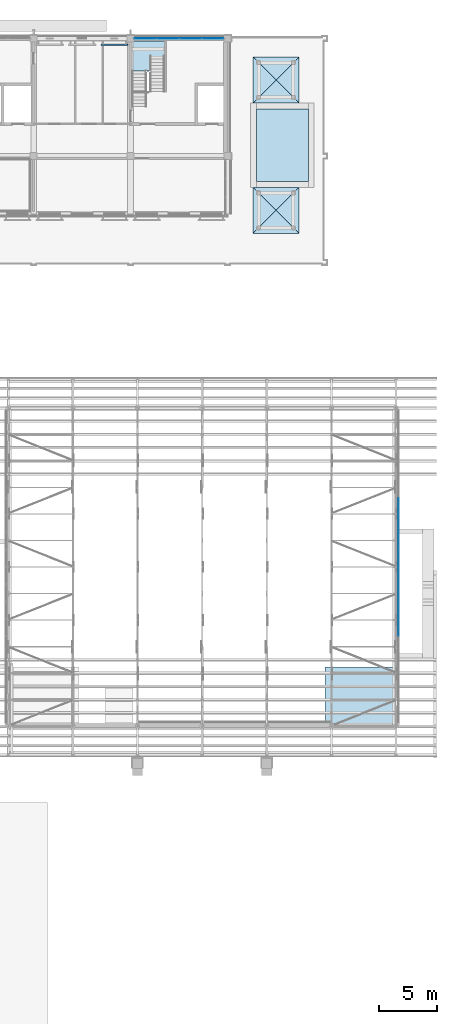
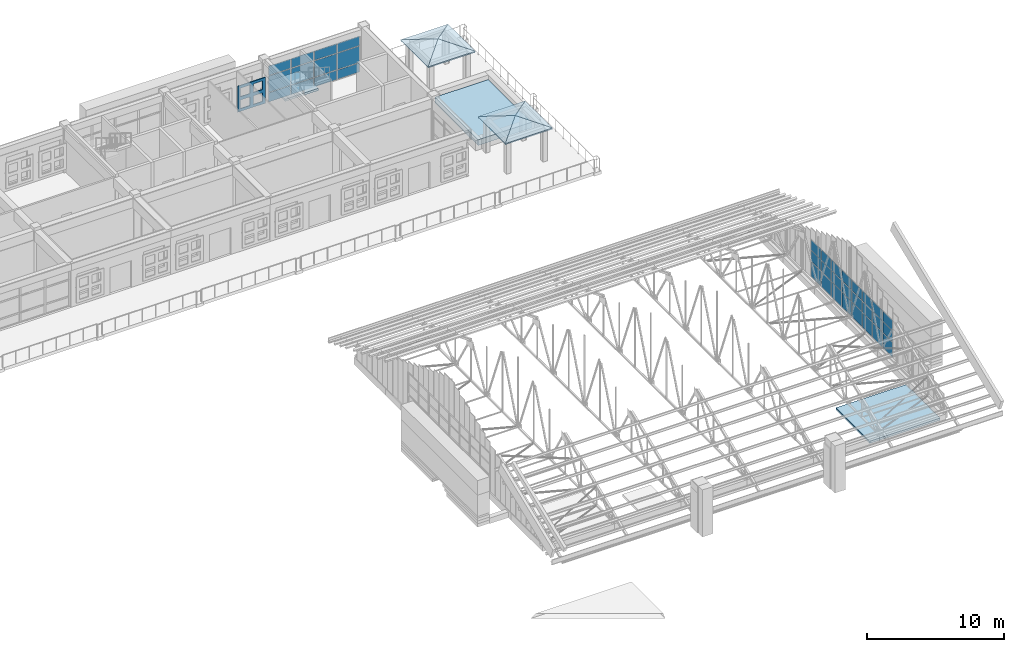
# One storey, part 37 of 71: 37 plates, 11 slabs, 3 elements without a shape of their own.
"""IFC4 building model written with IfcOpenShell, lengths in metres."""

import ifcopenshell
import ifcopenshell.guid

model = None  # the IFC model being written
_history = None  # IfcOwnerHistory: only IFC2X3 demands one
_inside = {}  # id of a spatial element -> (the spatial element, [elements in it])
_under = {}  # id of a project, library or spatial element -> (it, [spatial elements below it])
_declared = {}  # id of a project -> (the project, [libraries it declares])
_typed = {}  # id of a type object -> (the type object, [elements of that type])
_made_of = {}  # id of a material, layer set ... -> (it, [elements and type objects made of it])


def new_model(schema):
    """Start an empty IFC model of exactly this schema.

    Asked for "IFC4X3", IfcOpenShell would pick the latest addendum, in which some entities
    have other attributes; the version numbers below select the first issue.
    IFC2X3 requires an IfcOwnerHistory on every rooted entity: one is made here for all.
    """
    global model, _history
    if schema == "IFC4X3":
        model = ifcopenshell.file(schema_version=(4, 3, 0, 0))
    else:
        model = ifcopenshell.file(schema=schema)
    _inside.clear()
    _under.clear()
    _declared.clear()
    _typed.clear()
    _made_of.clear()
    _history = None
    if model.schema == "IFC2X3":
        org = make("IfcOrganization", Name="unknown")
        user = make(
            "IfcPersonAndOrganization",
            ThePerson=make("IfcPerson", FamilyName="unknown"),
            TheOrganization=org,
        )
        app = make(
            "IfcApplication",
            ApplicationDeveloper=org,
            Version="unknown",
            ApplicationFullName="unknown",
            ApplicationIdentifier="unknown",
        )
        _history = make(
            "IfcOwnerHistory",
            OwningUser=user,
            OwningApplication=app,
            ChangeAction="ADDED",
            CreationDate=0,
        )
    return model


def make(cls, **values):
    """One entity of the class cls with the attributes given. An attribute that is None is left unset."""
    return model.create_entity(
        cls, **{name: value for name, value in values.items() if value is not None}
    )


def rooted(cls, **values):
    """An entity with a GlobalId (a new one), such as an element, a storey or a relation."""
    return make(cls, GlobalId=ifcopenshell.guid.new(), OwnerHistory=_history, **values)


def si_unit(unit_type, name, prefix=None):
    """IfcSIUnit, for example si_unit("LENGTHUNIT", "METRE", prefix="MILLI")."""
    return make("IfcSIUnit", UnitType=unit_type, Prefix=prefix, Name=name)


def assignment(units):
    """IfcUnitAssignment: the units of a project."""
    return None if units is None else make("IfcUnitAssignment", Units=units)


def point(xyz):
    """IfcCartesianPoint."""
    return None if xyz is None else make("IfcCartesianPoint", Coordinates=xyz)


def direction(xyz):
    """IfcDirection."""
    return None if xyz is None else make("IfcDirection", DirectionRatios=xyz)


def frame(location, z_axis=None, x_axis=None):
    """IfcAxis2Placement3D, a coordinate frame: its origin and axes. An axis left out is left unset."""
    return make(
        "IfcAxis2Placement3D",
        Location=point(location),
        Axis=direction(z_axis),
        RefDirection=direction(x_axis),
    )


def frame_2d(location, x_axis=None):
    """IfcAxis2Placement2D, a coordinate frame in the plane: its origin and x axis."""
    return make(
        "IfcAxis2Placement2D", Location=point(location), RefDirection=direction(x_axis)
    )


def origin():
    """The frame at (0, 0, 0) with its axes left unset."""
    return frame((0.0, 0.0, 0.0))


def origin_2d():
    """The frame at (0, 0) in the plane with its x axis left unset."""
    return frame_2d((0.0, 0.0))


def place(relative_to, where):
    """IfcLocalPlacement: puts the frame where relative to a parent placement (None: the world)."""
    return make(
        "IfcLocalPlacement", PlacementRelTo=relative_to, RelativePlacement=where
    )


def context(
    kind, dimensions, precision=None, world=None, true_north=None, identifier=None
):
    """IfcGeometricRepresentationContext, for example the 3D "Model" context."""
    return make(
        "IfcGeometricRepresentationContext",
        ContextIdentifier=identifier,
        ContextType=kind,
        CoordinateSpaceDimension=dimensions,
        Precision=precision,
        WorldCoordinateSystem=world,
        TrueNorth=true_north,
    )


def subcontext(parent, identifier, kind, view, scale=None):
    """IfcGeometricRepresentationSubContext, for example "Body" below "Model"."""
    return make(
        "IfcGeometricRepresentationSubContext",
        ContextIdentifier=identifier,
        ContextType=kind,
        ParentContext=parent,
        TargetScale=scale,
        TargetView=view,
    )


def project(units=None, contexts=None):
    """IfcProject with its units and contexts."""
    return rooted(
        "IfcProject",
        Name="project",
        RepresentationContexts=contexts,
        UnitsInContext=assignment(units),
    )


def spatial(cls, under=None, at=None, **own):
    """A site, building, storey or space (cls), placed at a placement, below another one or the project."""
    s = rooted(cls, ObjectPlacement=at, **own)
    if under is not None:
        _under.setdefault(under.id(), (under, []))[1].append(s)
    return s


def polyline(points):
    """IfcPolyline through the points."""
    return make("IfcPolyline", Points=[point(p) for p in points])


def profile(cls, at=None, kind="AREA", **sizes):
    """A parametric profile (cls). Its sizes go by their IFC names, for example OverallWidth=200.0."""
    return make(cls, ProfileType=kind, Position=at, **sizes)


def rectangle(**sizes):
    """IfcRectangleProfileDef."""
    return profile("IfcRectangleProfileDef", **sizes)


def outline(outer, holes=None, kind="AREA"):
    """IfcArbitraryClosedProfileDef: a profile drawn as a closed curve; with holes, ...WithVoids."""
    if holes is None:
        return make("IfcArbitraryClosedProfileDef", ProfileType=kind, OuterCurve=outer)
    return make(
        "IfcArbitraryProfileDefWithVoids",
        ProfileType=kind,
        OuterCurve=outer,
        InnerCurves=holes,
    )


def extrude(swept, where, along, depth):
    """IfcExtrudedAreaSolid: the profile swept, set in the frame where, extruded along a direction by depth."""
    return make(
        "IfcExtrudedAreaSolid",
        SweptArea=swept,
        Position=where,
        ExtrudedDirection=direction(along),
        Depth=depth,
    )


def shape(context_of_items, identifier, shape_type, items):
    """IfcShapeRepresentation: the items that make up one representation, for example the "Body"."""
    return make(
        "IfcShapeRepresentation",
        ContextOfItems=context_of_items,
        RepresentationIdentifier=identifier,
        RepresentationType=shape_type,
        Items=items,
    )


def material(Name=None, Category=None):
    """IfcMaterial."""
    return make("IfcMaterial", Name=Name, Category=Category)


def layer(
    of_material, thickness, ventilated=None, Name=None, Category=None, Priority=None
):
    """IfcMaterialLayer: one layer of a wall or slab, of a material (None: an air gap)."""
    return make(
        "IfcMaterialLayer",
        Material=of_material,
        LayerThickness=thickness,
        IsVentilated=ventilated,
        Name=Name,
        Category=Category,
        Priority=Priority,
    )


def layer_set(layers, Name=None):
    """IfcMaterialLayerSet."""
    return make("IfcMaterialLayerSet", MaterialLayers=layers, LayerSetName=Name)


def material_profile(
    of_material, cross_section, Name=None, Category=None, Priority=None
):
    """IfcMaterialProfile: a cross section and its material."""
    return make(
        "IfcMaterialProfile",
        Name=Name,
        Material=of_material,
        Profile=cross_section,
        Priority=Priority,
        Category=Category,
    )


def profile_set(profiles, Name=None, composite=None):
    """IfcMaterialProfileSet."""
    return make(
        "IfcMaterialProfileSet",
        Name=Name,
        MaterialProfiles=profiles,
        CompositeProfile=composite,
    )


def made_of(thing, what):
    """Note that an element or type object is made of a material, layer set ...; save() writes the relation."""
    if what is not None:
        _made_of.setdefault(what.id(), (what, []))[1].append(thing)
    return thing


def type_object(cls, material=None, **own):
    """A type object (cls), such as IfcWallType, which elements share."""
    return made_of(rooted(cls, **own), material)


def element(
    cls,
    number,
    at=None,
    inside=None,
    cuts=None,
    type_object=None,
    material=None,
    context=None,
    identifier="Body",
    shape_type=None,
    held_by="IfcProductDefinitionShape",
    body=None,
    shapes=None,
    **own,
):
    """One element of the class cls, such as IfcWall. Its Tag is "e" and its number.

    at: its placement. inside: the storey or other place that contains it. cuts: it is an
    opening in that element (IfcRelVoidsElement). A single representation is given by context,
    identifier, shape_type and body (its items); several are given by shapes. held_by: the class
    of the entity that holds the representations. save() writes the other relations.
    """
    e = rooted(cls, Tag="e%d" % number, ObjectPlacement=at, **own)
    if body is not None:
        shapes = [shape(context, identifier, shape_type, body)]
    if shapes is not None:
        e.Representation = make(held_by, Representations=shapes)
    if inside is not None:
        _inside.setdefault(inside.id(), (inside, []))[1].append(e)
    if cuts is not None:
        rooted(
            "IfcRelVoidsElement", RelatingBuildingElement=cuts, RelatedOpeningElement=e
        )
    if type_object is not None:
        _typed.setdefault(type_object.id(), (type_object, []))[1].append(e)
    return made_of(e, material)


def aggregate(whole, parts):
    """IfcRelAggregates: a whole, such as a stair, and the parts it consists of."""
    return rooted("IfcRelAggregates", RelatingObject=whole, RelatedObjects=parts)


def save(model, path):
    """Write the relations noted so far, then the file.

    IfcRelAggregates (storeys below a building ...), IfcRelContainedInSpatialStructure (elements
    in a storey), IfcRelDefinesByType, IfcRelAssociatesMaterial and IfcRelDeclares: one each for
    every whole, place, type object, material and project.
    """
    for whole, parts in _under.values():
        aggregate(whole, parts)
    for where, things in _inside.values():
        rooted(
            "IfcRelContainedInSpatialStructure",
            RelatedElements=things,
            RelatingStructure=where,
        )
    for kind, things in _typed.values():
        rooted("IfcRelDefinesByType", RelatedObjects=things, RelatingType=kind)
    for what, things in _made_of.values():
        rooted("IfcRelAssociatesMaterial", RelatedObjects=things, RelatingMaterial=what)
    for by, libraries in _declared.values():
        rooted("IfcRelDeclares", RelatingContext=by, RelatedDefinitions=libraries)
    model.write(path)


model = new_model("IFC4")

# Units and contexts
model_context = context("Model", 3, precision=1e-05, world=origin(), true_north=direction((0.0, 1.0)))
body_context = subcontext(model_context, "Body", "Model", "MODEL_VIEW")
ifc_project = project(units=[si_unit("LENGTHUNIT", "METRE"), si_unit("AREAUNIT", "SQUARE_METRE"), si_unit("VOLUMEUNIT", "CUBIC_METRE"), si_unit("PLANEANGLEUNIT", "RADIAN"), si_unit("MASSUNIT", "GRAM", prefix="KILO")], contexts=[model_context])

# Site, building, storey
site_placement = place(None, origin())
site = spatial("IfcSite", under=ifc_project, at=site_placement, CompositionType="ELEMENT")
building_placement = place(site_placement, origin())
building = spatial("IfcBuilding", under=site, at=building_placement, Name="Wasatch Bagh Community Centre", CompositionType="ELEMENT")
storey_placement = place(building_placement, frame((0.0, 0.0, 12.60009765625)))
storey = spatial("IfcBuildingStorey", under=building, at=storey_placement, Name="L03", CompositionType="ELEMENT", Elevation=12.60009765625)

# Curtain wall, plates
ifc_material_1 = material(Name="Aluminium curtain wall frame with low-iron glass", Category="aluminium")
ifc_layer_1 = layer(ifc_material_1, 0.10009765625)
ifc_layer_set_1 = layer_set([ifc_layer_1], Name="Aluminium curtain wall frame with low-iron glass")
curtain_wall_type_1 = type_object("IfcCurtainWallType", Name="LW curtain wall 100", PredefinedType="NOTDEFINED", material=ifc_layer_set_1)
curtain_wall_1_placement = place(storey_placement, origin())
curtain_wall_1 = element("IfcCurtainWall", 1, at=curtain_wall_1_placement, inside=storey, type_object=curtain_wall_type_1, Name="Curtain wall 03.05", PredefinedType="NOTDEFINED")
ifc_material_2 = material(Name="Low-iron insulated glass", Category="glass")
ifc_layer_2 = layer(ifc_material_2, 0.028076171875)
ifc_layer_set_2 = layer_set([ifc_layer_2], Name="Low-iron insulated glass")
plate_type_1 = type_object("IfcPlateType", Name="LW curtain wall panel 28", PredefinedType="CURTAIN_PANEL", material=ifc_layer_set_2)
plate_1_placement = place(storey_placement, frame((124.090087890625, 97.800048828125, 0.059814453125), z_axis=(0.0, 0.0, 1.0), x_axis=(1.0, 0.0, 0.0)))
plate_1 = element("IfcPlate", 2, at=plate_1_placement, type_object=plate_type_1, Name="LW-CW1 panel 1.1", PredefinedType="CURTAIN_PANEL", context=body_context, shape_type="SweptSolid", body=[
    extrude(rectangle(XDim=1.860107421875, YDim=0.028076171875, at=origin_2d()), origin(), (0.0, 0.0, 1.0), 0.81005859375),
])
plate_2_placement = place(storey_placement, frame((124.090087890625, 97.800048828125, 0.929931640625), z_axis=(0.0, 0.0, 1.0), x_axis=(1.0, 0.0, 0.0)))
plate_2 = element("IfcPlate", 3, at=plate_2_placement, type_object=plate_type_1, Name="LW-CW1 panel 1.2", PredefinedType="CURTAIN_PANEL", context=body_context, shape_type="SweptSolid", body=[
    extrude(rectangle(XDim=1.860107421875, YDim=0.028076171875, at=origin_2d()), origin(), (0.0, 0.0, 1.0), 1.43994140625),
])
plate_3_placement = place(storey_placement, frame((124.090087890625, 97.800048828125, 2.429931640625), z_axis=(0.0, 0.0, 1.0), x_axis=(1.0, 0.0, 0.0)))
plate_3 = element("IfcPlate", 4, at=plate_3_placement, type_object=plate_type_1, Name="LW-CW1 panel 1.3", PredefinedType="CURTAIN_PANEL", context=body_context, shape_type="SweptSolid", body=[
    extrude(rectangle(XDim=1.860107421875, YDim=0.028076171875, at=origin_2d()), origin(), (0.0, 0.0, 1.0), 0.830078125),
])
plate_4_placement = place(storey_placement, frame((126.02490234375, 97.800048828125, 0.059814453125), z_axis=(0.0, 0.0, 1.0), x_axis=(1.0, 0.0, 0.0)))
plate_4 = element("IfcPlate", 5, at=plate_4_placement, type_object=plate_type_1, Name="LW-CW1 panel 2.1", PredefinedType="CURTAIN_PANEL", context=body_context, shape_type="SweptSolid", body=[
    extrude(rectangle(XDim=1.889892578125, YDim=0.028076171875, at=origin_2d()), origin(), (0.0, 0.0, 1.0), 0.81005859375),
])
plate_5_placement = place(storey_placement, frame((126.02490234375, 97.800048828125, 0.929931640625), z_axis=(0.0, 0.0, 1.0), x_axis=(1.0, 0.0, 0.0)))
plate_5 = element("IfcPlate", 6, at=plate_5_placement, type_object=plate_type_1, Name="LW-CW1 panel 2.2", PredefinedType="CURTAIN_PANEL", context=body_context, shape_type="SweptSolid", body=[
    extrude(rectangle(XDim=1.889892578125, YDim=0.028076171875, at=origin_2d()), origin(), (0.0, 0.0, 1.0), 1.43994140625),
])
plate_6_placement = place(storey_placement, frame((126.02490234375, 97.800048828125, 2.429931640625), z_axis=(0.0, 0.0, 1.0), x_axis=(1.0, 0.0, 0.0)))
plate_6 = element("IfcPlate", 7, at=plate_6_placement, type_object=plate_type_1, Name="LW-CW1 panel 2.3", PredefinedType="CURTAIN_PANEL", context=body_context, shape_type="SweptSolid", body=[
    extrude(rectangle(XDim=1.889892578125, YDim=0.028076171875, at=origin_2d()), origin(), (0.0, 0.0, 1.0), 0.830078125),
])
plate_7_placement = place(storey_placement, frame((127.97509765625, 97.800048828125, 0.059814453125), z_axis=(0.0, 0.0, 1.0), x_axis=(1.0, 0.0, 0.0)))
plate_7 = element("IfcPlate", 8, at=plate_7_placement, type_object=plate_type_1, Name="LW-CW1 panel 3.1", PredefinedType="CURTAIN_PANEL", context=body_context, shape_type="SweptSolid", body=[
    extrude(rectangle(XDim=1.889892578125, YDim=0.028076171875, at=origin_2d()), origin(), (0.0, 0.0, 1.0), 0.81005859375),
])
plate_8_placement = place(storey_placement, frame((127.97509765625, 97.800048828125, 0.929931640625), z_axis=(0.0, 0.0, 1.0), x_axis=(1.0, 0.0, 0.0)))
plate_8 = element("IfcPlate", 9, at=plate_8_placement, type_object=plate_type_1, Name="LW-CW1 panel 3.2", PredefinedType="CURTAIN_PANEL", context=body_context, shape_type="SweptSolid", body=[
    extrude(rectangle(XDim=1.889892578125, YDim=0.028076171875, at=origin_2d()), origin(), (0.0, 0.0, 1.0), 1.43994140625),
])
plate_9_placement = place(storey_placement, frame((127.97509765625, 97.800048828125, 2.429931640625), z_axis=(0.0, 0.0, 1.0), x_axis=(1.0, 0.0, 0.0)))
plate_9 = element("IfcPlate", 10, at=plate_9_placement, type_object=plate_type_1, Name="LW-CW1 panel 3.3", PredefinedType="CURTAIN_PANEL", context=body_context, shape_type="SweptSolid", body=[
    extrude(rectangle(XDim=1.889892578125, YDim=0.028076171875, at=origin_2d()), origin(), (0.0, 0.0, 1.0), 0.830078125),
])
plate_10_placement = place(storey_placement, frame((129.909912109375, 97.800048828125, 0.059814453125), z_axis=(0.0, 0.0, 1.0), x_axis=(1.0, 0.0, 0.0)))
plate_10 = element("IfcPlate", 11, at=plate_10_placement, type_object=plate_type_1, Name="LW-CW1 panel 4.1", PredefinedType="CURTAIN_PANEL", context=body_context, shape_type="SweptSolid", body=[
    extrude(rectangle(XDim=1.860107421875, YDim=0.028076171875, at=origin_2d()), origin(), (0.0, 0.0, 1.0), 0.81005859375),
])
plate_11_placement = place(storey_placement, frame((129.909912109375, 97.800048828125, 0.929931640625), z_axis=(0.0, 0.0, 1.0), x_axis=(1.0, 0.0, 0.0)))
plate_11 = element("IfcPlate", 12, at=plate_11_placement, type_object=plate_type_1, Name="LW-CW1 panel 4.2", PredefinedType="CURTAIN_PANEL", context=body_context, shape_type="SweptSolid", body=[
    extrude(rectangle(XDim=1.860107421875, YDim=0.028076171875, at=origin_2d()), origin(), (0.0, 0.0, 1.0), 1.43994140625),
])
plate_12_placement = place(storey_placement, frame((129.909912109375, 97.800048828125, 2.429931640625), z_axis=(0.0, 0.0, 1.0), x_axis=(1.0, 0.0, 0.0)))
plate_12 = element("IfcPlate", 13, at=plate_12_placement, type_object=plate_type_1, Name="LW-CW1 panel 4.3", PredefinedType="CURTAIN_PANEL", context=body_context, shape_type="SweptSolid", body=[
    extrude(rectangle(XDim=1.860107421875, YDim=0.028076171875, at=origin_2d()), origin(), (0.0, 0.0, 1.0), 0.830078125),
])
aggregate(curtain_wall_1, [plate_1, plate_2, plate_3, plate_4, plate_5, plate_6, plate_7, plate_8, plate_9, plate_10, plate_11, plate_12])

# Plate
ifc_material_3 = material(Name="Precast concrete C40/50", Category="concrete")
ifc_material_profile = material_profile(ifc_material_3, outline(polyline([(-1.159912109375, -1.159912109375), (1.159912109375, -1.159912109375), (1.159912109375, 1.159912109375), (-1.159912109375, 1.159912109375), (-1.159912109375, -1.159912109375)]), holes=[polyline([(-0.919921875, -0.919921875), (-0.14990234375, -0.919921875), (-0.14990234375, -0.14990234375), (-0.919921875, -0.14990234375), (-0.919921875, -0.919921875)]), polyline([(-0.919921875, 0.14990234375), (-0.14990234375, 0.14990234375), (-0.14990234375, 0.919921875), (-0.919921875, 0.919921875), (-0.919921875, 0.14990234375)]), polyline([(0.14990234375, -0.919921875), (0.919921875, -0.919921875), (0.919921875, -0.14990234375), (0.14990234375, -0.14990234375), (0.14990234375, -0.919921875)]), polyline([(0.14990234375, 0.14990234375), (0.919921875, 0.14990234375), (0.919921875, 0.919921875), (0.14990234375, 0.919921875), (0.14990234375, 0.14990234375)])]), Name="Jali lattice")
ifc_profile_set = profile_set([ifc_material_profile], Name="Precast concrete C40/50")
plate_type_2 = type_object("IfcPlateType", Name="LW jali panel 2320x2320", PredefinedType="SHEET", material=ifc_profile_set)
plate_13_placement = place(storey_placement, frame((121.39990234375, 97.300048828125, 1.659912109375), z_axis=(0.0, -1.0, 0.0), x_axis=(1.0, 0.0, 0.0)))
element("IfcPlate", 14, at=plate_13_placement, inside=storey, type_object=plate_type_2, Name="Jali panel", PredefinedType="SHEET", context=body_context, shape_type="SweptSolid", body=[
    extrude(outline(polyline([(-1.159912109375, -1.159912109375), (1.159912109375, -1.159912109375), (1.159912109375, 1.159912109375), (-1.159912109375, 1.159912109375), (-1.159912109375, -1.159912109375)]), holes=[polyline([(-0.919921875, -0.919921875), (-0.14990234375, -0.919921875), (-0.14990234375, -0.14990234375), (-0.919921875, -0.14990234375), (-0.919921875, -0.919921875)]), polyline([(-0.919921875, 0.14990234375), (-0.14990234375, 0.14990234375), (-0.14990234375, 0.919921875), (-0.919921875, 0.919921875), (-0.919921875, 0.14990234375)]), polyline([(0.14990234375, -0.919921875), (0.919921875, -0.919921875), (0.919921875, -0.14990234375), (0.14990234375, -0.14990234375), (0.14990234375, -0.919921875)]), polyline([(0.14990234375, 0.14990234375), (0.919921875, 0.14990234375), (0.919921875, 0.919921875), (0.14990234375, 0.919921875), (0.14990234375, 0.14990234375)])]), origin(), (0.0, 0.0, 1.0), 0.070068359375),
])

# Slabs
ifc_material_4 = material(Name="Concrete C35", Category="concrete")
ifc_layer_3 = layer(ifc_material_4, 0.14990234375)
ifc_layer_set_3 = layer_set([ifc_layer_3], Name="Concrete C35")
slab_type_1 = type_object("IfcSlabType", Name="LW pavilion roof 150", PredefinedType="ROOF", material=ifc_layer_set_3)
for number, where, z_axis, x_axis, name in (
    (15, (133.39990234375, 80.89990234375, 3.0), (0.0, -0.287283522802, 0.957845591694), (1.0, 0.0, 0.0), "Shade pavilion 3 roof"),
    (16, (137.39990234375, 80.89990234375, 3.0), (0.287283522802, 0.0, 0.957845591694), (0.0, 1.0, 0.0), "Shade pavilion 3 roof"),
    (17, (137.39990234375, 84.89990234375, 3.0), (0.0, 0.287283522802, 0.957845591694), (-1.0, 0.0, 0.0), "Shade pavilion 3 roof"),
    (18, (133.39990234375, 84.89990234375, 3.0), (-0.287283522802, 0.0, 0.957845591694), (0.0, -1.0, 0.0), "Shade pavilion 3 roof"),
    (19, (133.39990234375, 92.199951171875, 3.0), (0.0, -0.287283522802, 0.957845591694), (1.0, 0.0, 0.0), "Shade pavilion 4 roof"),
    (20, (137.39990234375, 92.199951171875, 3.0), (0.287283522802, 0.0, 0.957845591694), (0.0, 1.0, 0.0), "Shade pavilion 4 roof"),
    (21, (137.39990234375, 96.199951171875, 3.0), (0.0, 0.287283522802, 0.957845591694), (-1.0, 0.0, 0.0), "Shade pavilion 4 roof"),
    (22, (133.39990234375, 96.199951171875, 3.0), (-0.287283522802, 0.0, 0.957845591694), (0.0, -1.0, 0.0), "Shade pavilion 4 roof"),
):
    element("IfcSlab", number, at=place(storey_placement, frame(where, z_axis=z_axis, x_axis=x_axis)), inside=storey, type_object=slab_type_1, Name=name, PredefinedType="ROOF", context=body_context, shape_type="SweptSolid", body=[
        extrude(outline(polyline([(0.0, 0.0), (4.0, 0.0), (2.0, 2.0880192145207075), (0.0, 0.0)])), origin(), (0.0, 0.0, -1.0), 0.14990234375),
    ])
ifc_material_5 = material(Name="Planting soil over Concrete C30", Category="concrete")
ifc_layer_4 = layer(ifc_material_5, 0.5)
ifc_layer_set_4 = layer_set([ifc_layer_4], Name="Planting soil over Concrete C30")
slab_type_2 = type_object("IfcSlabType", Name="LW planting bed 500", PredefinedType="FLOOR", material=ifc_layer_set_4)
slab_1_placement = place(storey_placement, origin())
element("IfcSlab", 23, at=slab_1_placement, inside=storey, type_object=slab_type_2, Name="Planting bed T3 (perennials and grasses)", PredefinedType="FLOOR", context=body_context, shape_type="SweptSolid", body=[
    extrude(outline(polyline([(133.699951171875, 85.39990234375), (138.199951171875, 85.39990234375), (138.199951171875, 91.699951171875), (133.699951171875, 91.699951171875), (133.699951171875, 85.39990234375)])), origin(), (0.0, 0.0, 1.0), 0.5),
])

# Stair, slab
stair_type = type_object("IfcStairType", Name="LW core stair", PredefinedType="HALF_TURN_STAIR", material=ifc_material_4)
stair_placement = place(storey_placement, origin())
stair = element("IfcStair", 24, at=stair_placement, inside=storey, type_object=stair_type, Name="Stair Stair and Lift C3", PredefinedType="HALF_TURN_STAIR")
ifc_layer_5 = layer(ifc_material_4, 0.199951171875)
ifc_layer_set_5 = layer_set([ifc_layer_5], Name="Concrete C35")
slab_type_3 = type_object("IfcSlabType", Name="LW stair landing 200", PredefinedType="LANDING", material=ifc_layer_set_5)
slab_2_placement = place(storey_placement, frame((0.0, 0.0, 1.89990234375)))
slab_2 = element("IfcSlab", 25, at=slab_2_placement, type_object=slab_type_3, Name="ST-C3-3 landing 1", PredefinedType="LANDING", context=body_context, shape_type="SweptSolid", body=[
    extrude(outline(polyline([(122.925048828125, 94.9599609375), (125.735107421875, 94.9599609375), (125.735107421875, 97.60009765625), (122.925048828125, 97.60009765625), (122.925048828125, 94.9599609375)])), origin(), (0.0, 0.0, 1.0), 0.199951171875),
])
aggregate(stair, [slab_2])

# Slab
ifc_layer_6 = layer(ifc_material_4, 0.18994140625)
ifc_layer_set_6 = layer_set([ifc_layer_6], Name="Concrete C35")
slab_type_4 = type_object("IfcSlabType", Name="SH core roof slab 190", PredefinedType="ROOF", material=ifc_layer_set_6)
slab_3_placement = place(storey_placement, frame((0.0, 0.0, -0.190185546875)))
element("IfcSlab", 26, at=slab_3_placement, inside=storey, type_object=slab_type_4, Name="SH.slab.L02.cap.ST2", PredefinedType="ROOF", context=body_context, shape_type="SweptSolid", body=[
    extrude(outline(polyline([(139.64990234375, 38.39990234375), (145.60009765625, 38.39990234375), (145.60009765625, 43.35009765625), (139.64990234375, 43.35009765625), (139.64990234375, 38.39990234375)])), origin(), (0.0, 0.0, 1.0), 0.190185546875),
])

# Curtain wall, plates
ifc_material_6 = material(Name="Aluminium alloy 6063-T6", Category="aluminium")
ifc_layer_7 = layer(ifc_material_6, 0.10009765625)
ifc_layer_set_7 = layer_set([ifc_layer_7], Name="Aluminium alloy 6063-T6")
curtain_wall_type_2 = type_object("IfcCurtainWallType", Name="SH-CW2", PredefinedType="NOTDEFINED", material=ifc_layer_set_7)
curtain_wall_2_placement = place(storey_placement, origin())
curtain_wall_2 = element("IfcCurtainWall", 27, at=curtain_wall_2_placement, inside=storey, type_object=curtain_wall_type_2, Name="Curtain wall SH-CW2", PredefinedType="NOTDEFINED")
ifc_material_7 = material(Name="Cellulose fibre cement jali screen")
ifc_layer_8 = layer(ifc_material_7, 0.028076171875)
ifc_layer_set_8 = layer_set([ifc_layer_8], Name="Cellulose fibre cement jali screen")
plate_type_3 = type_object("IfcPlateType", Name="SH-CW2 panel", PredefinedType="CURTAIN_PANEL", material=ifc_layer_set_8)
plate_14_placement = place(storey_placement, frame((146.0, 46.764892578125, 0.659912109375), z_axis=(0.0, 0.0, 1.0), x_axis=(0.0, 1.0, 0.0)))
plate_14 = element("IfcPlate", 28, at=plate_14_placement, type_object=plate_type_3, Name="SH-CW2 panel 1.1", PredefinedType="CURTAIN_PANEL", context=body_context, shape_type="SweptSolid", body=[
    extrude(rectangle(XDim=1.409912109375, YDim=0.028076171875, at=origin_2d()), origin(), (0.0, 0.0, 1.0), 1.31005859375),
])
plate_15_placement = place(storey_placement, frame((146.0, 46.764892578125, 2.030029296875), z_axis=(0.0, 0.0, 1.0), x_axis=(0.0, 1.0, 0.0)))
plate_15 = element("IfcPlate", 29, at=plate_15_placement, type_object=plate_type_3, Name="SH-CW2 panel 1.2", PredefinedType="CURTAIN_PANEL", context=body_context, shape_type="SweptSolid", body=[
    extrude(rectangle(XDim=1.409912109375, YDim=0.028076171875, at=origin_2d()), origin(), (0.0, 0.0, 1.0), 0.93994140625),
])
plate_16_placement = place(storey_placement, frame((146.0, 46.764892578125, 3.02978515625), z_axis=(0.0, 0.0, 1.0), x_axis=(0.0, 1.0, 0.0)))
plate_16 = element("IfcPlate", 30, at=plate_16_placement, type_object=plate_type_3, Name="SH-CW2 panel 1.3", PredefinedType="CURTAIN_PANEL", context=body_context, shape_type="SweptSolid", body=[
    extrude(rectangle(XDim=1.409912109375, YDim=0.028076171875, at=origin_2d()), origin(), (0.0, 0.0, 1.0), 0.909912109375),
])
plate_17_placement = place(storey_placement, frame((146.0, 48.25, 0.659912109375), z_axis=(0.0, 0.0, 1.0), x_axis=(0.0, 1.0, 0.0)))
plate_17 = element("IfcPlate", 31, at=plate_17_placement, type_object=plate_type_3, Name="SH-CW2 panel 2.1", PredefinedType="CURTAIN_PANEL", context=body_context, shape_type="SweptSolid", body=[
    extrude(rectangle(XDim=1.43994140625, YDim=0.028076171875, at=origin_2d()), origin(), (0.0, 0.0, 1.0), 1.31005859375),
])
plate_18_placement = place(storey_placement, frame((146.0, 48.25, 2.030029296875), z_axis=(0.0, 0.0, 1.0), x_axis=(0.0, 1.0, 0.0)))
plate_18 = element("IfcPlate", 32, at=plate_18_placement, type_object=plate_type_3, Name="SH-CW2 panel 2.2", PredefinedType="CURTAIN_PANEL", context=body_context, shape_type="SweptSolid", body=[
    extrude(rectangle(XDim=1.43994140625, YDim=0.028076171875, at=origin_2d()), origin(), (0.0, 0.0, 1.0), 0.93994140625),
])
plate_19_placement = place(storey_placement, frame((146.0, 48.25, 3.02978515625), z_axis=(0.0, 0.0, 1.0), x_axis=(0.0, 1.0, 0.0)))
plate_19 = element("IfcPlate", 33, at=plate_19_placement, type_object=plate_type_3, Name="SH-CW2 panel 2.3", PredefinedType="CURTAIN_PANEL", context=body_context, shape_type="SweptSolid", body=[
    extrude(rectangle(XDim=1.43994140625, YDim=0.028076171875, at=origin_2d()), origin(), (0.0, 0.0, 1.0), 0.909912109375),
])
plate_20_placement = place(storey_placement, frame((146.0, 49.75, 0.659912109375), z_axis=(0.0, 0.0, 1.0), x_axis=(0.0, 1.0, 0.0)))
plate_20 = element("IfcPlate", 34, at=plate_20_placement, type_object=plate_type_3, Name="SH-CW2 panel 3.1", PredefinedType="CURTAIN_PANEL", context=body_context, shape_type="SweptSolid", body=[
    extrude(rectangle(XDim=1.43994140625, YDim=0.028076171875, at=origin_2d()), origin(), (0.0, 0.0, 1.0), 1.31005859375),
])
plate_21_placement = place(storey_placement, frame((146.0, 49.75, 2.030029296875), z_axis=(0.0, 0.0, 1.0), x_axis=(0.0, 1.0, 0.0)))
plate_21 = element("IfcPlate", 35, at=plate_21_placement, type_object=plate_type_3, Name="SH-CW2 panel 3.2", PredefinedType="CURTAIN_PANEL", context=body_context, shape_type="SweptSolid", body=[
    extrude(rectangle(XDim=1.43994140625, YDim=0.028076171875, at=origin_2d()), origin(), (0.0, 0.0, 1.0), 0.93994140625),
])
plate_22_placement = place(storey_placement, frame((146.0, 49.75, 3.02978515625), z_axis=(0.0, 0.0, 1.0), x_axis=(0.0, 1.0, 0.0)))
plate_22 = element("IfcPlate", 36, at=plate_22_placement, type_object=plate_type_3, Name="SH-CW2 panel 3.3", PredefinedType="CURTAIN_PANEL", context=body_context, shape_type="SweptSolid", body=[
    extrude(rectangle(XDim=1.43994140625, YDim=0.028076171875, at=origin_2d()), origin(), (0.0, 0.0, 1.0), 0.909912109375),
])
plate_23_placement = place(storey_placement, frame((146.0, 51.25, 0.659912109375), z_axis=(0.0, 0.0, 1.0), x_axis=(0.0, 1.0, 0.0)))
plate_23 = element("IfcPlate", 37, at=plate_23_placement, type_object=plate_type_3, Name="SH-CW2 panel 4.1", PredefinedType="CURTAIN_PANEL", context=body_context, shape_type="SweptSolid", body=[
    extrude(rectangle(XDim=1.43994140625, YDim=0.028076171875, at=origin_2d()), origin(), (0.0, 0.0, 1.0), 1.31005859375),
])
plate_24_placement = place(storey_placement, frame((146.0, 51.25, 2.030029296875), z_axis=(0.0, 0.0, 1.0), x_axis=(0.0, 1.0, 0.0)))
plate_24 = element("IfcPlate", 38, at=plate_24_placement, type_object=plate_type_3, Name="SH-CW2 panel 4.2", PredefinedType="CURTAIN_PANEL", context=body_context, shape_type="SweptSolid", body=[
    extrude(rectangle(XDim=1.43994140625, YDim=0.028076171875, at=origin_2d()), origin(), (0.0, 0.0, 1.0), 0.93994140625),
])
plate_25_placement = place(storey_placement, frame((146.0, 51.25, 3.02978515625), z_axis=(0.0, 0.0, 1.0), x_axis=(0.0, 1.0, 0.0)))
plate_25 = element("IfcPlate", 39, at=plate_25_placement, type_object=plate_type_3, Name="SH-CW2 panel 4.3", PredefinedType="CURTAIN_PANEL", context=body_context, shape_type="SweptSolid", body=[
    extrude(rectangle(XDim=1.43994140625, YDim=0.028076171875, at=origin_2d()), origin(), (0.0, 0.0, 1.0), 0.909912109375),
])
plate_26_placement = place(storey_placement, frame((146.0, 52.75, 0.659912109375), z_axis=(0.0, 0.0, 1.0), x_axis=(0.0, 1.0, 0.0)))
plate_26 = element("IfcPlate", 40, at=plate_26_placement, type_object=plate_type_3, Name="SH-CW2 panel 5.1", PredefinedType="CURTAIN_PANEL", context=body_context, shape_type="SweptSolid", body=[
    extrude(rectangle(XDim=1.43994140625, YDim=0.028076171875, at=origin_2d()), origin(), (0.0, 0.0, 1.0), 1.31005859375),
])
plate_27_placement = place(storey_placement, frame((146.0, 52.75, 2.030029296875), z_axis=(0.0, 0.0, 1.0), x_axis=(0.0, 1.0, 0.0)))
plate_27 = element("IfcPlate", 41, at=plate_27_placement, type_object=plate_type_3, Name="SH-CW2 panel 5.2", PredefinedType="CURTAIN_PANEL", context=body_context, shape_type="SweptSolid", body=[
    extrude(rectangle(XDim=1.43994140625, YDim=0.028076171875, at=origin_2d()), origin(), (0.0, 0.0, 1.0), 0.93994140625),
])
plate_28_placement = place(storey_placement, frame((146.0, 52.75, 3.02978515625), z_axis=(0.0, 0.0, 1.0), x_axis=(0.0, 1.0, 0.0)))
plate_28 = element("IfcPlate", 42, at=plate_28_placement, type_object=plate_type_3, Name="SH-CW2 panel 5.3", PredefinedType="CURTAIN_PANEL", context=body_context, shape_type="SweptSolid", body=[
    extrude(rectangle(XDim=1.43994140625, YDim=0.028076171875, at=origin_2d()), origin(), (0.0, 0.0, 1.0), 0.909912109375),
])
plate_29_placement = place(storey_placement, frame((146.0, 54.25, 0.659912109375), z_axis=(0.0, 0.0, 1.0), x_axis=(0.0, 1.0, 0.0)))
plate_29 = element("IfcPlate", 43, at=plate_29_placement, type_object=plate_type_3, Name="SH-CW2 panel 6.1", PredefinedType="CURTAIN_PANEL", context=body_context, shape_type="SweptSolid", body=[
    extrude(rectangle(XDim=1.43994140625, YDim=0.028076171875, at=origin_2d()), origin(), (0.0, 0.0, 1.0), 1.31005859375),
])
plate_30_placement = place(storey_placement, frame((146.0, 54.25, 2.030029296875), z_axis=(0.0, 0.0, 1.0), x_axis=(0.0, 1.0, 0.0)))
plate_30 = element("IfcPlate", 44, at=plate_30_placement, type_object=plate_type_3, Name="SH-CW2 panel 6.2", PredefinedType="CURTAIN_PANEL", context=body_context, shape_type="SweptSolid", body=[
    extrude(rectangle(XDim=1.43994140625, YDim=0.028076171875, at=origin_2d()), origin(), (0.0, 0.0, 1.0), 0.93994140625),
])
plate_31_placement = place(storey_placement, frame((146.0, 54.25, 3.02978515625), z_axis=(0.0, 0.0, 1.0), x_axis=(0.0, 1.0, 0.0)))
plate_31 = element("IfcPlate", 45, at=plate_31_placement, type_object=plate_type_3, Name="SH-CW2 panel 6.3", PredefinedType="CURTAIN_PANEL", context=body_context, shape_type="SweptSolid", body=[
    extrude(rectangle(XDim=1.43994140625, YDim=0.028076171875, at=origin_2d()), origin(), (0.0, 0.0, 1.0), 0.909912109375),
])
plate_32_placement = place(storey_placement, frame((146.0, 55.75, 0.659912109375), z_axis=(0.0, 0.0, 1.0), x_axis=(0.0, 1.0, 0.0)))
plate_32 = element("IfcPlate", 46, at=plate_32_placement, type_object=plate_type_3, Name="SH-CW2 panel 7.1", PredefinedType="CURTAIN_PANEL", context=body_context, shape_type="SweptSolid", body=[
    extrude(rectangle(XDim=1.43994140625, YDim=0.028076171875, at=origin_2d()), origin(), (0.0, 0.0, 1.0), 1.31005859375),
])
plate_33_placement = place(storey_placement, frame((146.0, 55.75, 2.030029296875), z_axis=(0.0, 0.0, 1.0), x_axis=(0.0, 1.0, 0.0)))
plate_33 = element("IfcPlate", 47, at=plate_33_placement, type_object=plate_type_3, Name="SH-CW2 panel 7.2", PredefinedType="CURTAIN_PANEL", context=body_context, shape_type="SweptSolid", body=[
    extrude(rectangle(XDim=1.43994140625, YDim=0.028076171875, at=origin_2d()), origin(), (0.0, 0.0, 1.0), 0.93994140625),
])
plate_34_placement = place(storey_placement, frame((146.0, 55.75, 3.02978515625), z_axis=(0.0, 0.0, 1.0), x_axis=(0.0, 1.0, 0.0)))
plate_34 = element("IfcPlate", 48, at=plate_34_placement, type_object=plate_type_3, Name="SH-CW2 panel 7.3", PredefinedType="CURTAIN_PANEL", context=body_context, shape_type="SweptSolid", body=[
    extrude(rectangle(XDim=1.43994140625, YDim=0.028076171875, at=origin_2d()), origin(), (0.0, 0.0, 1.0), 0.909912109375),
])
plate_35_placement = place(storey_placement, frame((146.0, 57.235107421875, 0.659912109375), z_axis=(0.0, 0.0, 1.0), x_axis=(0.0, 1.0, 0.0)))
plate_35 = element("IfcPlate", 49, at=plate_35_placement, type_object=plate_type_3, Name="SH-CW2 panel 8.1", PredefinedType="CURTAIN_PANEL", context=body_context, shape_type="SweptSolid", body=[
    extrude(rectangle(XDim=1.409912109375, YDim=0.028076171875, at=origin_2d()), origin(), (0.0, 0.0, 1.0), 1.31005859375),
])
plate_36_placement = place(storey_placement, frame((146.0, 57.235107421875, 2.030029296875), z_axis=(0.0, 0.0, 1.0), x_axis=(0.0, 1.0, 0.0)))
plate_36 = element("IfcPlate", 50, at=plate_36_placement, type_object=plate_type_3, Name="SH-CW2 panel 8.2", PredefinedType="CURTAIN_PANEL", context=body_context, shape_type="SweptSolid", body=[
    extrude(rectangle(XDim=1.409912109375, YDim=0.028076171875, at=origin_2d()), origin(), (0.0, 0.0, 1.0), 0.93994140625),
])
plate_37_placement = place(storey_placement, frame((146.0, 57.235107421875, 3.02978515625), z_axis=(0.0, 0.0, 1.0), x_axis=(0.0, 1.0, 0.0)))
plate_37 = element("IfcPlate", 51, at=plate_37_placement, type_object=plate_type_3, Name="SH-CW2 panel 8.3", PredefinedType="CURTAIN_PANEL", context=body_context, shape_type="SweptSolid", body=[
    extrude(rectangle(XDim=1.409912109375, YDim=0.028076171875, at=origin_2d()), origin(), (0.0, 0.0, 1.0), 0.909912109375),
])
aggregate(curtain_wall_2, [plate_14, plate_15, plate_16, plate_17, plate_18, plate_19, plate_20, plate_21, plate_22, plate_23, plate_24, plate_25, plate_26, plate_27, plate_28, plate_29, plate_30, plate_31, plate_32, plate_33, plate_34, plate_35, plate_36, plate_37])

save(model, "model.ifc")
